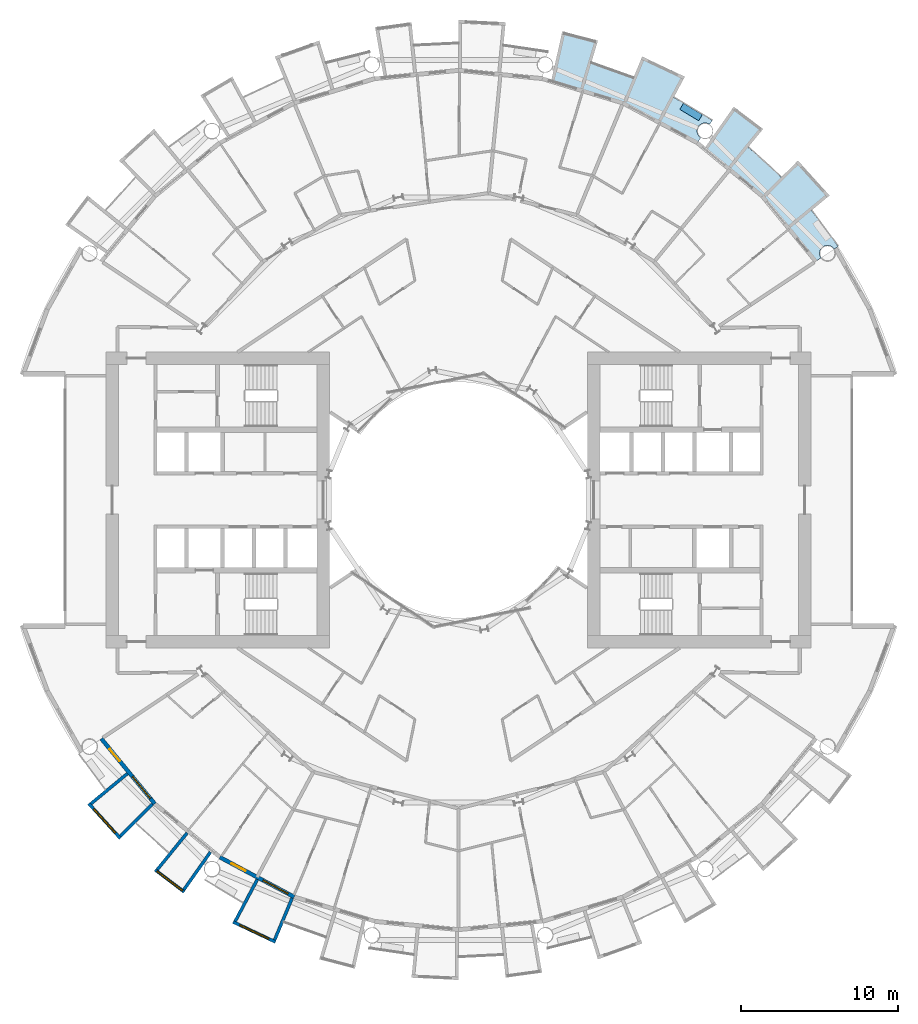
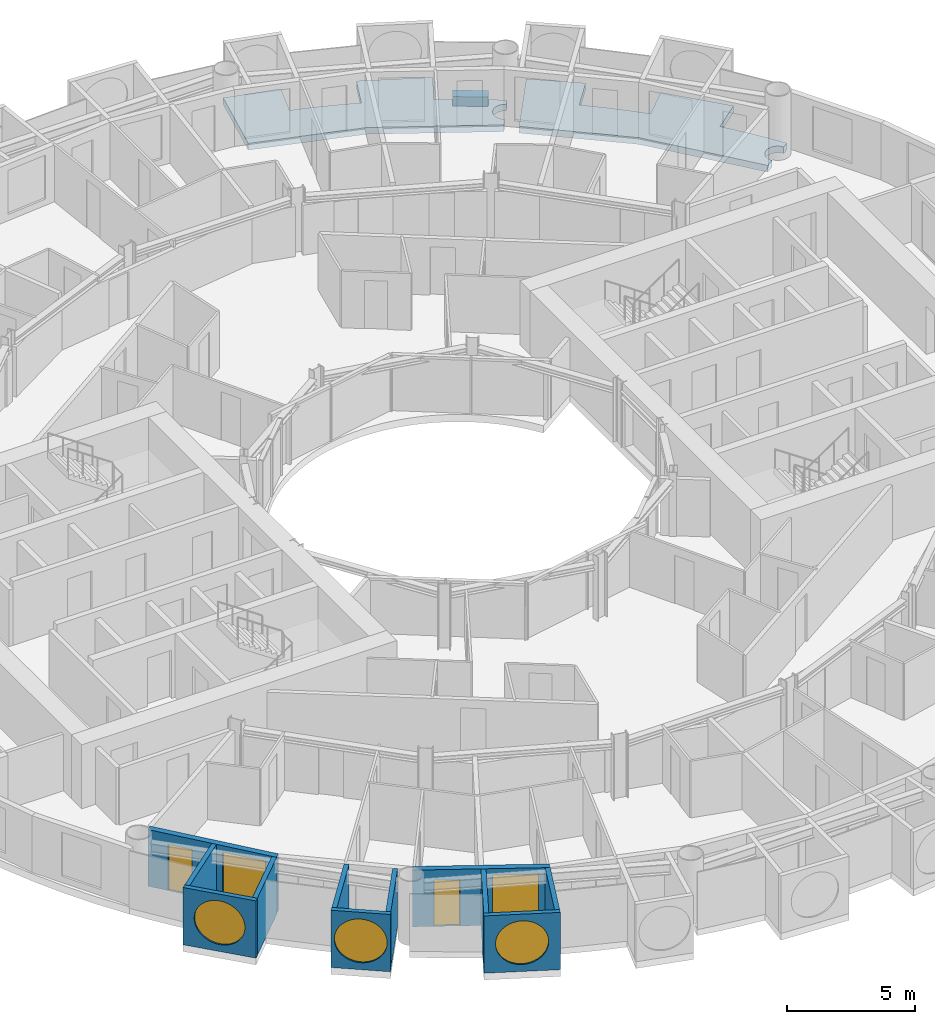
# One storey, part 12 of 26: 11 walls, 5 windows, 3 slabs, 2 doors, 7 openings.
"""IFC4 building model written with IfcOpenShell, lengths in metres."""

from ifc_helpers import new_model, si_unit, direction, frame, frame_2d, origin, place, context, subcontext, project, spatial, polyline, rectangle, circle, outline, extrude, material, layer, layer_set, type_object, element, fill, save


model = new_model("IFC4")

# Units and contexts
model_context = context("Model", 3, precision=1e-05, world=origin(), true_north=direction((0.0, 1.0)))
body_context = subcontext(model_context, "Body", "Model", "MODEL_VIEW")
ifc_project = project(units=[si_unit("LENGTHUNIT", "METRE"), si_unit("AREAUNIT", "SQUARE_METRE"), si_unit("VOLUMEUNIT", "CUBIC_METRE"), si_unit("PLANEANGLEUNIT", "RADIAN"), si_unit("MASSUNIT", "GRAM", prefix="KILO")], contexts=[model_context])

# Site, building, storey
site_placement = place(None, origin())
site = spatial("IfcSite", under=ifc_project, at=site_placement, CompositionType="ELEMENT")
building_placement = place(site_placement, origin())
building = spatial("IfcBuilding", under=site, at=building_placement, Name="Maasbend Ring Residences", CompositionType="ELEMENT")
storey_placement = place(building_placement, frame((0.0, 0.0, 31.949951171875)))
storey = spatial("IfcBuildingStorey", under=building, at=storey_placement, Name="L08", CompositionType="ELEMENT", Elevation=31.949951171875)

# Slabs
ifc_material_1 = material(Name="Planting with climbing greenery")
ifc_layer_1 = layer(ifc_material_1, 0.449951171875)
ifc_layer_set_1 = layer_set([ifc_layer_1], Name="PLANTER-LG")
slab_type_1 = type_object("IfcSlabType", Name="PLANTER-LG", PredefinedType="USERDEFINED", material=ifc_layer_set_1)
slab_1_placement = place(storey_placement, frame((0.0, 0.0, -0.030029296875)))
element("IfcSlab", 1, at=slab_1_placement, inside=storey, type_object=slab_type_1, Name="Planter with climbing greenery 2", ObjectType="PLANTER", PredefinedType="USERDEFINED", context=body_context, shape_type="SweptSolid", body=[
    extrude(outline(polyline([(15.490966796875, 24.48388671875), (14.291015625, 25.2041015625), (14.05908203125, 24.818115234375), (15.260009765625, 24.097900390625), (15.490966796875, 24.48388671875)])), origin(), (0.0, 0.0, 1.0), 0.4501953125),
])
ifc_material_2 = material(Name="Concrete C40/50", Category="concrete")
ifc_layer_2 = layer(ifc_material_2, 0.199951171875)
ifc_layer_set_2 = layer_set([ifc_layer_2], Name="Concrete C40/50")
slab_type_2 = type_object("IfcSlabType", Name="SL-LOGGIA", PredefinedType="FLOOR", material=ifc_layer_set_2)
slab_2_placement = place(storey_placement, frame((0.0, 0.0, -0.349853515625)))
element("IfcSlab", 2, at=slab_2_placement, inside=storey, type_object=slab_type_2, Name="Loggia floor 1", PredefinedType="FLOOR", context=body_context, shape_type="SweptSolid", body=[
    extrude(outline(polyline([(8.85400390625, 29.18701171875), (8.85400390625, 29.18701171875), (8.85400390625, 29.18701171875), (8.41796875, 27.751953125), (8.41796875, 27.751953125), (8.41796875, 27.751953125), (8.41796875, 27.751953125), (8.41796875, 27.751953125), (8.41796875, 27.751953125), (8.41796875, 27.7509765625), (8.41796875, 27.7509765625), (8.41796875, 27.7509765625), (8.41796875, 27.7509765625), (8.41796875, 27.7509765625), (8.4189453125, 27.7509765625), (8.4189453125, 27.7509765625), (8.4189453125, 27.7509765625), (8.4189453125, 27.7509765625), (8.4189453125, 27.7509765625), (8.4189453125, 27.7509765625), (9.322021484375, 27.4609375), (9.322021484375, 27.4609375), (10.215087890625, 27.14111328125), (10.215087890625, 27.14111328125), (11.096923828125, 26.79296875), (11.096923828125, 26.79296875), (11.096923828125, 26.79296875), (11.097900390625, 26.79296875), (11.097900390625, 26.79296875), (11.097900390625, 26.79296875), (11.097900390625, 26.79296875), (11.097900390625, 26.79296875), (11.097900390625, 26.79296875), (11.097900390625, 26.79296875), (11.097900390625, 26.79296875), (11.097900390625, 26.79296875), (11.097900390625, 26.79296875), (11.097900390625, 26.79296875), (11.097900390625, 26.79296875), (11.097900390625, 26.79296875), (11.097900390625, 26.79296875), (11.672119140625, 28.177978515625), (11.672119140625, 28.177978515625), (11.672119140625, 28.177978515625), (14.3779296875, 26.89892578125), (14.3779296875, 26.89892578125), (14.3779296875, 26.89892578125), (13.6708984375, 25.575927734375), (13.6708984375, 25.575927734375), (13.6708984375, 25.575927734375), (13.6708984375, 25.575927734375), (13.6708984375, 25.575927734375), (13.6708984375, 25.575927734375), (13.6708984375, 25.575927734375), (13.6708984375, 25.575927734375), (13.6708984375, 25.575927734375), (13.6708984375, 25.575927734375), (13.6708984375, 25.575927734375), (13.6708984375, 25.575927734375), (13.6708984375, 25.575927734375), (13.6708984375, 25.575927734375), (13.6708984375, 25.575927734375), (13.6708984375, 25.575927734375), (13.6708984375, 25.574951171875), (14.5, 25.114990234375), (14.5, 25.114990234375), (15.31396484375, 24.626953125), (15.31396484375, 24.626953125), (16.112060546875, 24.113037109375), (16.112060546875, 24.113037109375), (16.112060546875, 24.113037109375), (15.948974609375, 23.8701171875), (15.93896484375, 23.876953125), (15.927978515625, 23.883056640625), (15.9169921875, 23.888916015625), (15.906982421875, 23.89501953125), (15.89599609375, 23.90087890625), (15.884033203125, 23.906982421875), (15.873046875, 23.912109375), (15.862060546875, 23.9169921875), (15.85009765625, 23.9208984375), (15.837890625, 23.926025390625), (15.825927734375, 23.929931640625), (15.81494140625, 23.93408203125), (15.802978515625, 23.93701171875), (15.791015625, 23.93994140625), (15.778076171875, 23.943115234375), (15.76611328125, 23.946044921875), (15.75390625, 23.947998046875), (15.741943359375, 23.949951171875), (15.72900390625, 23.951904296875), (15.717041015625, 23.952880859375), (15.7041015625, 23.9541015625), (15.69189453125, 23.955078125), (15.679931640625, 23.955078125), (15.6669921875, 23.955078125), (15.655029296875, 23.955078125), (15.64208984375, 23.955078125), (15.6298828125, 23.9541015625), (15.616943359375, 23.952880859375), (15.60498046875, 23.951904296875), (15.593017578125, 23.949951171875), (15.580078125, 23.947998046875), (15.568115234375, 23.946044921875), (15.555908203125, 23.943115234375), (15.5439453125, 23.93994140625), (15.531982421875, 23.93701171875), (15.52001953125, 23.93408203125), (15.508056640625, 23.929931640625), (15.49609375, 23.926025390625), (15.48388671875, 23.9208984375), (15.472900390625, 23.9169921875), (15.4609375, 23.912109375), (15.449951171875, 23.906982421875), (15.43896484375, 23.90087890625), (15.427978515625, 23.89501953125), (15.4169921875, 23.888916015625), (15.406005859375, 23.883056640625), (15.39501953125, 23.876953125), (15.385009765625, 23.8701171875), (15.375, 23.863037109375), (15.364013671875, 23.85498046875), (15.35498046875, 23.847900390625), (15.344970703125, 23.840087890625), (15.3349609375, 23.83203125), (15.325927734375, 23.823974609375), (15.31689453125, 23.81494140625), (15.30810546875, 23.806884765625), (15.299072265625, 23.798095703125), (15.291015625, 23.7890625), (15.281982421875, 23.779052734375), (15.27392578125, 23.77001953125), (15.26708984375, 23.760009765625), (15.259033203125, 23.75), (15.251953125, 23.739990234375), (15.2451171875, 23.72998046875), (15.238037109375, 23.718994140625), (15.23095703125, 23.708984375), (15.22509765625, 23.697998046875), (15.218994140625, 23.68701171875), (15.212890625, 23.676025390625), (15.2080078125, 23.6650390625), (15.202880859375, 23.653076171875), (15.197998046875, 23.64208984375), (15.193115234375, 23.6298828125), (15.18896484375, 23.618896484375), (15.18505859375, 23.60693359375), (15.180908203125, 23.594970703125), (15.177978515625, 23.5830078125), (15.174072265625, 23.571044921875), (15.1708984375, 23.55908203125), (15.1689453125, 23.547119140625), (15.1669921875, 23.533935546875), (15.1650390625, 23.52197265625), (15.1630859375, 23.510009765625), (15.162109375, 23.4970703125), (15.159912109375, 23.485107421875), (15.159912109375, 23.471923828125), (15.158935546875, 23.4599609375), (15.158935546875, 23.447021484375), (15.158935546875, 23.43505859375), (15.159912109375, 23.422119140625), (15.159912109375, 23.409912109375), (15.162109375, 23.39794921875), (15.1630859375, 23.385009765625), (15.1650390625, 23.373046875), (15.1669921875, 23.361083984375), (15.1689453125, 23.347900390625), (15.1708984375, 23.3359375), (15.174072265625, 23.323974609375), (15.177978515625, 23.31201171875), (15.180908203125, 23.300048828125), (15.18505859375, 23.2880859375), (15.18896484375, 23.27587890625), (15.193115234375, 23.264892578125), (15.197998046875, 23.2529296875), (15.202880859375, 23.241943359375), (15.2080078125, 23.22998046875), (15.212890625, 23.218994140625), (15.218994140625, 23.2080078125), (15.22509765625, 23.197021484375), (15.23095703125, 23.18603515625), (15.238037109375, 23.176025390625), (15.2451171875, 23.1650390625), (15.251953125, 23.155029296875), (15.259033203125, 23.14501953125), (15.26708984375, 23.135009765625), (15.27392578125, 23.125), (15.281982421875, 23.115966796875), (15.291015625, 23.10595703125), (15.299072265625, 23.096923828125), (15.30810546875, 23.087890625), (15.31689453125, 23.0791015625), (15.325927734375, 23.071044921875), (15.3349609375, 23.06298828125), (15.344970703125, 23.054931640625), (15.35498046875, 23.047119140625), (15.364013671875, 23.0390625), (15.375, 23.031982421875), (15.385009765625, 23.02490234375), (15.1669921875, 22.698974609375), (15.1669921875, 22.698974609375), (15.1669921875, 22.698974609375), (12.806884765625, 23.9609375), (10.447021484375, 25.221923828125), (10.447021484375, 25.221923828125), (10.447021484375, 25.221923828125), (7.886962890625, 25.9990234375), (5.89111328125, 26.60400390625), (5.89111328125, 26.60400390625), (5.89111328125, 26.60400390625), (6.593994140625, 29.779052734375), (6.593994140625, 29.779052734375), (6.593994140625, 29.779052734375), (8.85400390625, 29.18701171875)])), origin(), (0.0, 0.0, 1.0), 0.31982421875),
])
slab_3_placement = place(storey_placement, frame((0.0, 0.0, -0.349853515625)))
element("IfcSlab", 3, at=slab_3_placement, inside=storey, type_object=slab_type_2, Name="Loggia floor 4", PredefinedType="FLOOR", context=body_context, shape_type="SweptSolid", body=[
    extrude(outline(polyline([(19.34912109375, 23.576904296875), (19.34912109375, 23.576904296875), (19.34912109375, 23.576904296875), (18.39794921875, 22.41796875), (18.39794921875, 22.41796875), (18.39794921875, 22.41796875), (18.39794921875, 22.41796875), (18.39794921875, 22.41796875), (18.39794921875, 22.4169921875), (18.39794921875, 22.4169921875), (18.39794921875, 22.4169921875), (18.39794921875, 22.4169921875), (18.39794921875, 22.4169921875), (18.39794921875, 22.4169921875), (18.39794921875, 22.4169921875), (18.39794921875, 22.4169921875), (18.39794921875, 22.4169921875), (18.39794921875, 22.4169921875), (18.39794921875, 22.4169921875), (18.39794921875, 22.4169921875), (19.12109375, 21.802978515625), (19.12109375, 21.802978515625), (19.823974609375, 21.166015625), (19.823974609375, 21.166015625), (20.506103515625, 20.506103515625), (20.506103515625, 20.506103515625), (20.506103515625, 20.506103515625), (20.506103515625, 20.506103515625), (20.506103515625, 20.506103515625), (20.506103515625, 20.506103515625), (20.506103515625, 20.506103515625), (20.506103515625, 20.506103515625), (20.506103515625, 20.506103515625), (20.506103515625, 20.506103515625), (20.506103515625, 20.506103515625), (20.506103515625, 20.506103515625), (20.506103515625, 20.506103515625), (20.506103515625, 20.506103515625), (20.506103515625, 20.506103515625), (20.506103515625, 20.506103515625), (20.506103515625, 20.506103515625), (21.56689453125, 21.56689453125), (21.56689453125, 21.56689453125), (21.56689453125, 21.56689453125), (23.576904296875, 19.34912109375), (23.576904296875, 19.34912109375), (23.576904296875, 19.34912109375), (22.41796875, 18.39794921875), (22.41796875, 18.39794921875), (22.41796875, 18.39794921875), (22.41796875, 18.39794921875), (22.41796875, 18.39794921875), (22.41796875, 18.39794921875), (22.41796875, 18.39697265625), (22.41796875, 18.39697265625), (22.41796875, 18.39697265625), (22.41796875, 18.39697265625), (22.41796875, 18.39697265625), (22.41796875, 18.39697265625), (22.41796875, 18.39697265625), (22.41796875, 18.39697265625), (22.41796875, 18.39697265625), (22.41796875, 18.39697265625), (22.41796875, 18.39697265625), (23.007080078125, 17.654052734375), (23.007080078125, 17.654052734375), (23.572998046875, 16.89208984375), (23.572998046875, 16.89208984375), (24.113037109375, 16.112060546875), (24.113037109375, 16.112060546875), (24.113037109375, 16.112060546875), (23.8701171875, 15.948974609375), (23.8701171875, 15.948974609375), (23.863037109375, 15.9599609375), (23.85498046875, 15.969970703125), (23.847900390625, 15.97998046875), (23.840087890625, 15.989013671875), (23.83203125, 15.9990234375), (23.823974609375, 16.008056640625), (23.81494140625, 16.01708984375), (23.806884765625, 16.02587890625), (23.798095703125, 16.034912109375), (23.7890625, 16.0439453125), (23.779052734375, 16.052001953125), (23.77001953125, 16.06005859375), (23.760009765625, 16.068115234375), (23.75, 16.074951171875), (23.739990234375, 16.08203125), (23.72998046875, 16.089111328125), (23.718994140625, 16.095947265625), (23.708984375, 16.10302734375), (23.697998046875, 16.10888671875), (23.68701171875, 16.114990234375), (23.676025390625, 16.12109375), (23.6650390625, 16.1259765625), (23.653076171875, 16.132080078125), (23.64208984375, 16.135986328125), (23.6298828125, 16.14111328125), (23.618896484375, 16.14501953125), (23.60693359375, 16.14892578125), (23.594970703125, 16.153076171875), (23.5830078125, 16.156982421875), (23.571044921875, 16.159912109375), (23.55908203125, 16.1630859375), (23.547119140625, 16.1650390625), (23.533935546875, 16.16796875), (23.52197265625, 16.169921875), (23.510009765625, 16.1708984375), (23.4970703125, 16.173095703125), (23.485107421875, 16.174072265625), (23.471923828125, 16.174072265625), (23.4599609375, 16.175048828125), (23.447021484375, 16.175048828125), (23.43505859375, 16.175048828125), (23.422119140625, 16.174072265625), (23.409912109375, 16.174072265625), (23.39794921875, 16.173095703125), (23.385009765625, 16.1708984375), (23.373046875, 16.169921875), (23.361083984375, 16.16796875), (23.347900390625, 16.1650390625), (23.3359375, 16.1630859375), (23.323974609375, 16.159912109375), (23.31201171875, 16.156982421875), (23.300048828125, 16.153076171875), (23.2880859375, 16.14892578125), (23.27587890625, 16.14501953125), (23.264892578125, 16.14111328125), (23.2529296875, 16.135986328125), (23.241943359375, 16.132080078125), (23.22998046875, 16.1259765625), (23.218994140625, 16.12109375), (23.2080078125, 16.114990234375), (23.197021484375, 16.10888671875), (23.18603515625, 16.10302734375), (23.176025390625, 16.095947265625), (23.1650390625, 16.089111328125), (23.155029296875, 16.08203125), (23.14501953125, 16.074951171875), (23.135009765625, 16.068115234375), (23.125, 16.06005859375), (23.115966796875, 16.052001953125), (23.10595703125, 16.0439453125), (23.096923828125, 16.034912109375), (23.087890625, 16.02587890625), (23.0791015625, 16.01708984375), (23.071044921875, 16.008056640625), (23.06298828125, 15.9990234375), (23.054931640625, 15.989013671875), (23.047119140625, 15.97998046875), (23.0390625, 15.969970703125), (23.031982421875, 15.9599609375), (23.02490234375, 15.948974609375), (23.01806640625, 15.93896484375), (23.011962890625, 15.927978515625), (23.0048828125, 15.9169921875), (22.9990234375, 15.906982421875), (22.993896484375, 15.89599609375), (22.988037109375, 15.884033203125), (22.98291015625, 15.873046875), (22.97802734375, 15.862060546875), (22.972900390625, 15.85009765625), (22.968994140625, 15.837890625), (22.965087890625, 15.825927734375), (22.9609375, 15.81494140625), (22.9580078125, 15.802978515625), (22.955078125, 15.791015625), (22.951904296875, 15.778076171875), (22.948974609375, 15.76611328125), (22.947021484375, 15.75390625), (22.945068359375, 15.741943359375), (22.943115234375, 15.72900390625), (22.94189453125, 15.717041015625), (22.94091796875, 15.7041015625), (22.93994140625, 15.69189453125), (22.93994140625, 15.679931640625), (22.93896484375, 15.6669921875), (22.93994140625, 15.655029296875), (22.93994140625, 15.64208984375), (22.94091796875, 15.6298828125), (22.94189453125, 15.616943359375), (22.943115234375, 15.60498046875), (22.945068359375, 15.593017578125), (22.947021484375, 15.580078125), (22.948974609375, 15.568115234375), (22.951904296875, 15.555908203125), (22.955078125, 15.5439453125), (22.9580078125, 15.531982421875), (22.9609375, 15.52001953125), (22.965087890625, 15.508056640625), (22.968994140625, 15.49609375), (22.972900390625, 15.48388671875), (22.97802734375, 15.472900390625), (22.98291015625, 15.4609375), (22.988037109375, 15.449951171875), (22.993896484375, 15.43896484375), (22.9990234375, 15.427978515625), (23.0048828125, 15.4169921875), (23.011962890625, 15.406005859375), (23.01806640625, 15.39501953125), (23.02490234375, 15.385009765625), (23.02490234375, 15.385009765625), (22.698974609375, 15.1669921875), (22.698974609375, 15.1669921875), (22.698974609375, 15.1669921875), (21.001953125, 17.236083984375), (19.303955078125, 19.303955078125), (19.303955078125, 19.303955078125), (19.303955078125, 19.303955078125), (17.236083984375, 21.001953125), (15.623046875, 22.324951171875), (15.623046875, 22.324951171875), (15.623046875, 22.324951171875), (17.488037109375, 24.989013671875), (17.488037109375, 24.989013671875), (17.488037109375, 24.989013671875), (19.34912109375, 23.576904296875)])), origin(), (0.0, 0.0, 1.0), 0.31982421875),
])

# Wall, opening, window
ifc_material_3 = material(Name="Pale anodised aluminium panel", Category="aluminium")
ifc_layer_3 = layer(ifc_material_3, 0.199951171875)
ifc_layer_set_3 = layer_set([ifc_layer_3], Name="EW-BOX")
wall_type_1 = type_object("IfcWallType", Name="EW-BOX", PredefinedType="SOLIDWALL", material=ifc_layer_set_3)
wall_1_placement = place(storey_placement, frame((-23.5029296875, -19.281982421875, -0.030029296875), z_axis=(0.0, 0.0, 1.0), x_axis=(0.671506829416, -0.740998365753, 0.0)))
wall_1 = element("IfcWall", 4, at=wall_1_placement, inside=storey, type_object=wall_type_1, Name="Box front S02", PredefinedType="SOLIDWALL", context=body_context, shape_type="SweptSolid", body=[
    extrude(rectangle(XDim=2.9931640625, YDim=0.199951171875, at=frame_2d((1.49658203125, 0.0))), origin(), (0.0, 0.0, 1.0), 2.72998046875),
])
opening_1_placement = place(wall_1_placement, frame((0.45654296875, 0.0, 0.330078125)))
opening_1 = element("IfcOpeningElement", 5, at=opening_1_placement, cuts=wall_1, Name="Opening W-RD", PredefinedType="OPENING", context=body_context, shape_type="SweptSolid", body=[
    extrude(circle(Radius=1.0400390625, at=frame_2d((1.0400390625, 1.0400390625))), frame((0.0, 0.10986328125, 0.0), z_axis=(0.0, -1.0, 0.0), x_axis=(1.0, 0.0, 0.0)), (0.0, 0.0, 1.0), 0.219970703125),
])
ifc_material_4 = material(Name="Aluminium and clear glass", Category="aluminium")
window_type_1 = type_object("IfcWindowType", Name="W-RD", PartitioningType="SINGLE_PANEL", PredefinedType="WINDOW", material=ifc_material_4)
window_1_placement = place(opening_1_placement, origin())
window_1 = element("IfcWindow", 6, at=window_1_placement, inside=storey, type_object=window_type_1, Name="Round window S02", OverallHeight=2.080078125, OverallWidth=2.080078125, PartitioningType="SINGLE_PANEL", PredefinedType="WINDOW", context=body_context, shape_type="SweptSolid", body=[
    extrude(circle(Radius=1.0400390625, at=frame_2d((1.0400390625, 1.0400390625))), frame((0.0, 0.030029296875, 0.0), z_axis=(0.0, -1.0, 0.0), x_axis=(1.0, 0.0, 0.0)), (0.0, 0.0, 1.0), 0.06005859375),
])
fill(opening_1, window_1)

# Walls
wall_2_placement = place(storey_placement, frame((-21.041015625, -17.384033203125, -0.030029296875), z_axis=(0.0, 0.0, 1.0), x_axis=(-0.770784861449, -0.63709551667, 0.0)))
element("IfcWall", 7, at=wall_2_placement, inside=storey, type_object=wall_type_1, Name="Box side wall S02 left", PredefinedType="SOLIDWALL", context=body_context, shape_type="SweptSolid", body=[
    extrude(rectangle(XDim=3.005859375, YDim=0.199951171875, at=frame_2d((1.5029296875, 0.0))), origin(), (0.0, 0.0, 1.0), 2.72998046875),
])
wall_3_placement = place(storey_placement, frame((-19.449951171875, -19.322998046875, -0.030029296875), z_axis=(0.0, 0.0, 1.0), x_axis=(-0.709727076896, -0.704476739375, 0.0)))
element("IfcWall", 8, at=wall_3_placement, inside=storey, type_object=wall_type_1, Name="Box side wall S02 right", PredefinedType="SOLIDWALL", context=body_context, shape_type="SweptSolid", body=[
    extrude(rectangle(XDim=2.883056640625, YDim=0.199951171875, at=frame_2d((1.44140625, 0.0))), origin(), (0.0, 0.0, 1.0), 2.72998046875),
])

# Wall, opening, window
wall_4_placement = place(storey_placement, frame((-19.2890625, -23.4970703125, -0.030029296875), z_axis=(0.0, 0.0, 1.0), x_axis=(0.796842165306, -0.60418752353, 0.0)))
wall_4 = element("IfcWall", 9, at=wall_4_placement, inside=storey, type_object=wall_type_1, Name="Box front S04", PredefinedType="SOLIDWALL", context=body_context, shape_type="SweptSolid", body=[
    extrude(rectangle(XDim=2.3369140625, YDim=0.199951171875, at=frame_2d((1.16845703125, 0.0))), origin(), (0.0, 0.0, 1.0), 2.72998046875),
])
opening_2_placement = place(wall_4_placement, frame((0.128173828125, 0.0, 0.330078125)))
opening_2 = element("IfcOpeningElement", 10, at=opening_2_placement, cuts=wall_4, Name="Opening W-RD", PredefinedType="OPENING", context=body_context, shape_type="SweptSolid", body=[
    extrude(circle(Radius=1.0400390625, at=frame_2d((1.0400390625, 1.0400390625))), frame((0.0, 0.10986328125, 0.0), z_axis=(0.0, -1.0, 0.0), x_axis=(1.0, 0.0, 0.0)), (0.0, 0.0, 1.0), 0.219970703125),
])
window_2_placement = place(opening_2_placement, origin())
window_2 = element("IfcWindow", 11, at=window_2_placement, inside=storey, type_object=window_type_1, Name="Round window S04", OverallHeight=2.080078125, OverallWidth=2.080078125, PartitioningType="SINGLE_PANEL", PredefinedType="WINDOW", context=body_context, shape_type="SweptSolid", body=[
    extrude(circle(Radius=1.0400390625, at=frame_2d((1.0400390625, 1.0400390625))), frame((0.0, 0.030029296875, 0.0), z_axis=(0.0, -1.0, 0.0), x_axis=(1.0, 0.0, 0.0)), (0.0, 0.0, 1.0), 0.06005859375),
])
fill(opening_2, window_2)

# Walls
wall_5_placement = place(storey_placement, frame((-17.24609375, -21.155029296875, -0.030029296875), z_axis=(0.0, 0.0, 1.0), x_axis=(-0.631741648902, -0.775179004516, 0.0)))
element("IfcWall", 12, at=wall_5_placement, inside=storey, type_object=wall_type_1, Name="Box side wall S04 left", PredefinedType="SOLIDWALL", context=body_context, shape_type="SweptSolid", body=[
    extrude(rectangle(XDim=3.005859375, YDim=0.199951171875, at=frame_2d((1.5029296875, 0.0))), origin(), (0.0, 0.0, 1.0), 2.72998046875),
])
wall_6_placement = place(storey_placement, frame((-15.764892578125, -22.3701171875, -0.030029296875), z_axis=(0.0, 0.0, 1.0), x_axis=(-0.576274612209, -0.817256123454, 0.0)))
element("IfcWall", 13, at=wall_6_placement, inside=storey, type_object=wall_type_1, Name="Box side wall S04 right", PredefinedType="SOLIDWALL", context=body_context, shape_type="SweptSolid", body=[
    extrude(rectangle(XDim=2.932861328125, YDim=0.199951171875, at=frame_2d((1.46630859375, 0.0))), origin(), (0.0, 0.0, 1.0), 2.72998046875),
])

# Wall, opening, window
wall_7_placement = place(storey_placement, frame((-14.3349609375, -26.80810546875, -0.030029296875), z_axis=(0.0, 0.0, 1.0), x_axis=(0.904000060331, -0.427532327342, 0.0)))
wall_7 = element("IfcWall", 14, at=wall_7_placement, inside=storey, type_object=wall_type_1, Name="Box front S06", PredefinedType="SOLIDWALL", context=body_context, shape_type="SweptSolid", body=[
    extrude(rectangle(XDim=2.993408203125, YDim=0.199951171875, at=frame_2d((1.49658203125, 0.0))), origin(), (0.0, 0.0, 1.0), 2.72998046875),
])
opening_3_placement = place(wall_7_placement, frame((0.45654296875, 0.0, 0.330078125)))
opening_3 = element("IfcOpeningElement", 15, at=opening_3_placement, cuts=wall_7, Name="Opening W-RD", PredefinedType="OPENING", context=body_context, shape_type="SweptSolid", body=[
    extrude(circle(Radius=1.0400390625, at=frame_2d((1.0400390625, 1.0400390625))), frame((0.0, 0.10986328125, 0.0), z_axis=(0.0, -1.0, 0.0), x_axis=(1.0, 0.0, 0.0)), (0.0, 0.0, 1.0), 0.219970703125),
])
window_3_placement = place(opening_3_placement, origin())
window_3 = element("IfcWindow", 16, at=window_3_placement, inside=storey, type_object=window_type_1, Name="Round window S06", OverallHeight=2.080078125, OverallWidth=2.080078125, PartitioningType="SINGLE_PANEL", PredefinedType="WINDOW", context=body_context, shape_type="SweptSolid", body=[
    extrude(circle(Radius=1.0400390625, at=frame_2d((1.0400390625, 1.0400390625))), frame((0.0, 0.030029296875, 0.0), z_axis=(0.0, -1.0, 0.0), x_axis=(1.0, 0.0, 0.0)), (0.0, 0.0, 1.0), 0.06005859375),
])
fill(opening_3, window_3)

# Walls
wall_8_placement = place(storey_placement, frame((-12.787109375, -24.113037109375, -0.030029296875), z_axis=(0.0, 0.0, 1.0), x_axis=(-0.468365282436, -0.883534924159, 0.0)))
element("IfcWall", 17, at=wall_8_placement, inside=storey, type_object=wall_type_1, Name="Box side wall S06 left", PredefinedType="SOLIDWALL", context=body_context, shape_type="SweptSolid", body=[
    extrude(rectangle(XDim=3.006103515625, YDim=0.199951171875, at=frame_2d((1.5029296875, 0.0))), origin(), (0.0, 0.0, 1.0), 2.72998046875),
])
wall_9_placement = place(storey_placement, frame((-10.574951171875, -25.294921875, -0.030029296875), z_axis=(0.0, 0.0, 1.0), x_axis=(-0.385697364644, -0.922625353492, 0.0)))
element("IfcWall", 18, at=wall_9_placement, inside=storey, type_object=wall_type_1, Name="Box side wall S06 right", PredefinedType="SOLIDWALL", context=body_context, shape_type="SweptSolid", body=[
    extrude(rectangle(XDim=2.88330078125, YDim=0.199951171875, at=frame_2d((1.441650390625, 0.0))), origin(), (0.0, 0.0, 1.0), 2.72998046875),
])

# Wall, openings, door, window
ifc_material_5 = material(Name="Aluminium clad insulated panel", Category="aluminium")
ifc_layer_4 = layer(ifc_material_5, 0.25)
ifc_layer_set_4 = layer_set([ifc_layer_4], Name="EW-GL")
wall_type_2 = type_object("IfcWallType", Name="EW-GL", PredefinedType="SOLIDWALL", material=ifc_layer_set_4)
wall_10_placement = place(storey_placement, frame((-22.698974609375, -15.1669921875, 0.0), z_axis=(0.0, 0.0, 1.0), x_axis=(0.634382322723, -0.773019449054, 0.0)))
wall_10 = element("IfcWall", 19, at=wall_10_placement, inside=storey, type_object=wall_type_2, Name="External wall S01", PredefinedType="SOLIDWALL", context=body_context, shape_type="SweptSolid", body=[
    extrude(rectangle(XDim=5.351806640625, YDim=0.25, at=frame_2d((2.67578125, 0.0))), origin(), (0.0, 0.0, 1.0), 2.699951171875),
])
opening_4_placement = place(wall_10_placement, frame((0.841064453125, 0.0, 0.0)))
opening_4 = element("IfcOpeningElement", 20, at=opening_4_placement, cuts=wall_10, Name="Opening D-LG", PredefinedType="OPENING", context=body_context, shape_type="SweptSolid", body=[
    extrude(rectangle(XDim=1.0, YDim=2.199951171875, at=frame_2d((0.5, 1.10009765625))), frame((0.0, 0.135009765625, 0.0), z_axis=(0.0, -1.0, 0.0), x_axis=(1.0, 0.0, 0.0)), (0.0, 0.0, 1.0), 0.27001953125),
])
opening_5_placement = place(wall_10_placement, frame((3.110595703125, 0.0, 0.300048828125)))
opening_5 = element("IfcOpeningElement", 21, at=opening_5_placement, cuts=wall_10, Name="Opening W-BX", PredefinedType="OPENING", context=body_context, shape_type="SweptSolid", body=[
    extrude(rectangle(XDim=1.800048828125, YDim=2.10009765625, at=frame_2d((0.89990234375, 1.050048828125))), frame((0.0, 0.135009765625, 0.0), z_axis=(0.0, -1.0, 0.0), x_axis=(1.0, 0.0, 0.0)), (0.0, 0.0, 1.0), 0.27001953125),
])
ifc_material_6 = material(Name="Aluminium and clear glass", Category="aluminium")
door_type = type_object("IfcDoorType", Name="D-LG", OperationType="SINGLE_SWING_LEFT", PredefinedType="DOOR", material=ifc_material_6)
door_1_placement = place(opening_4_placement, origin())
door_1 = element("IfcDoor", 22, at=door_1_placement, inside=storey, type_object=door_type, Name="Loggia door S01", OperationType="SINGLE_SWING_LEFT", OverallHeight=2.199951171875, OverallWidth=1.0, PredefinedType="DOOR", context=body_context, shape_type="SweptSolid", body=[
    extrude(rectangle(XDim=1.0, YDim=2.199951171875, at=frame_2d((0.5, 1.10009765625))), frame((0.0, 0.02490234375, 0.0), z_axis=(0.0, -1.0, 0.0), x_axis=(1.0, 0.0, 0.0)), (0.0, 0.0, 1.0), 0.050048828125),
])
fill(opening_4, door_1)
ifc_material_7 = material(Name="Aluminium and clear glass", Category="aluminium")
window_type_2 = type_object("IfcWindowType", Name="W-BX", PartitioningType="DOUBLE_PANEL_VERTICAL", PredefinedType="WINDOW", material=ifc_material_7)
window_4_placement = place(opening_5_placement, origin())
window_4 = element("IfcWindow", 23, at=window_4_placement, inside=storey, type_object=window_type_2, Name="Window S02 room to box", OverallHeight=2.10009765625, OverallWidth=1.800048828125, PartitioningType="SINGLE_PANEL", PredefinedType="WINDOW", context=body_context, shape_type="SweptSolid", body=[
    extrude(rectangle(XDim=1.800048828125, YDim=2.10009765625, at=frame_2d((0.89990234375, 1.050048828125))), frame((0.0, 0.030029296875, 0.0), z_axis=(0.0, -1.0, 0.0), x_axis=(1.0, 0.0, 0.0)), (0.0, 0.0, 1.0), 0.06005859375),
])
fill(opening_5, window_4)

wall_11_placement = place(storey_placement, frame((-15.1669921875, -22.698974609375, 0.0), z_axis=(0.0, 0.0, 1.0), x_axis=(0.881915646801, -0.471407246368, 0.0)))
wall_11 = element("IfcWall", 24, at=wall_11_placement, inside=storey, type_object=wall_type_2, Name="External wall S03", PredefinedType="SOLIDWALL", context=body_context, shape_type="SweptSolid", body=[
    extrude(rectangle(XDim=5.35205078125, YDim=0.25, at=frame_2d((2.676025390625, 0.0))), origin(), (0.0, 0.0, 1.0), 2.699951171875),
])
opening_6_placement = place(wall_11_placement, frame((0.841064453125, 0.0, 0.0)))
opening_6 = element("IfcOpeningElement", 25, at=opening_6_placement, cuts=wall_11, Name="Opening D-LG", PredefinedType="OPENING", context=body_context, shape_type="SweptSolid", body=[
    extrude(rectangle(XDim=1.0, YDim=2.199951171875, at=frame_2d((0.5, 1.10009765625))), frame((0.0, 0.135009765625, 0.0), z_axis=(0.0, -1.0, 0.0), x_axis=(1.0, 0.0, 0.0)), (0.0, 0.0, 1.0), 0.27001953125),
])
opening_7_placement = place(wall_11_placement, frame((3.110595703125, 0.0, 0.300048828125)))
opening_7 = element("IfcOpeningElement", 26, at=opening_7_placement, cuts=wall_11, Name="Opening W-BX", PredefinedType="OPENING", context=body_context, shape_type="SweptSolid", body=[
    extrude(rectangle(XDim=1.800048828125, YDim=2.10009765625, at=frame_2d((0.89990234375, 1.050048828125))), frame((0.0, 0.135009765625, 0.0), z_axis=(0.0, -1.0, 0.0), x_axis=(1.0, 0.0, 0.0)), (0.0, 0.0, 1.0), 0.27001953125),
])
door_2_placement = place(opening_6_placement, origin())
door_2 = element("IfcDoor", 27, at=door_2_placement, inside=storey, type_object=door_type, Name="Loggia door S05", OperationType="SINGLE_SWING_LEFT", OverallHeight=2.199951171875, OverallWidth=1.0, PredefinedType="DOOR", context=body_context, shape_type="SweptSolid", body=[
    extrude(rectangle(XDim=1.0, YDim=2.199951171875, at=frame_2d((0.5, 1.10009765625))), frame((0.0, 0.02490234375, 0.0), z_axis=(0.0, -1.0, 0.0), x_axis=(1.0, 0.0, 0.0)), (0.0, 0.0, 1.0), 0.050048828125),
])
fill(opening_6, door_2)
window_5_placement = place(opening_7_placement, origin())
window_5 = element("IfcWindow", 28, at=window_5_placement, inside=storey, type_object=window_type_2, Name="Window S06 room to box", OverallHeight=2.10009765625, OverallWidth=1.800048828125, PartitioningType="SINGLE_PANEL", PredefinedType="WINDOW", context=body_context, shape_type="SweptSolid", body=[
    extrude(rectangle(XDim=1.800048828125, YDim=2.10009765625, at=frame_2d((0.89990234375, 1.050048828125))), frame((0.0, 0.030029296875, 0.0), z_axis=(0.0, -1.0, 0.0), x_axis=(1.0, 0.0, 0.0)), (0.0, 0.0, 1.0), 0.06005859375),
])
fill(opening_7, window_5)

save(model, "model.ifc")
